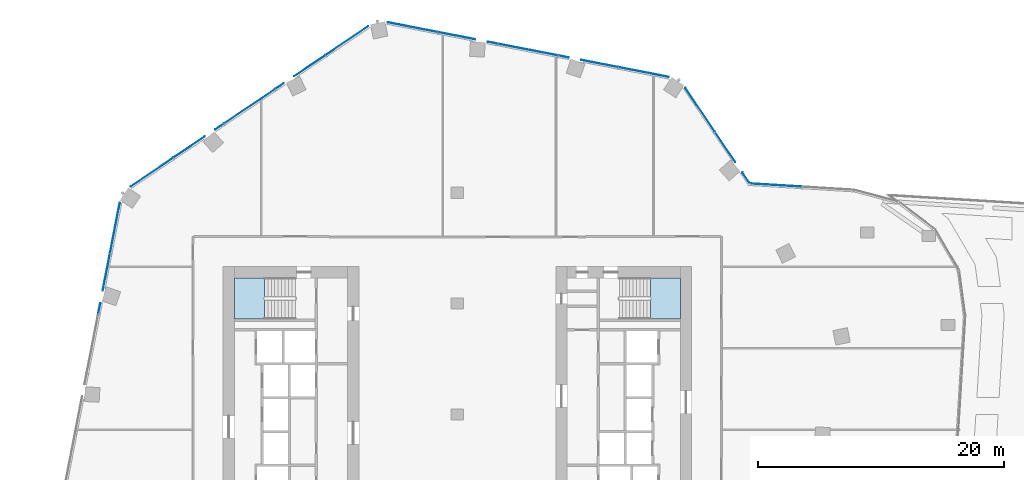
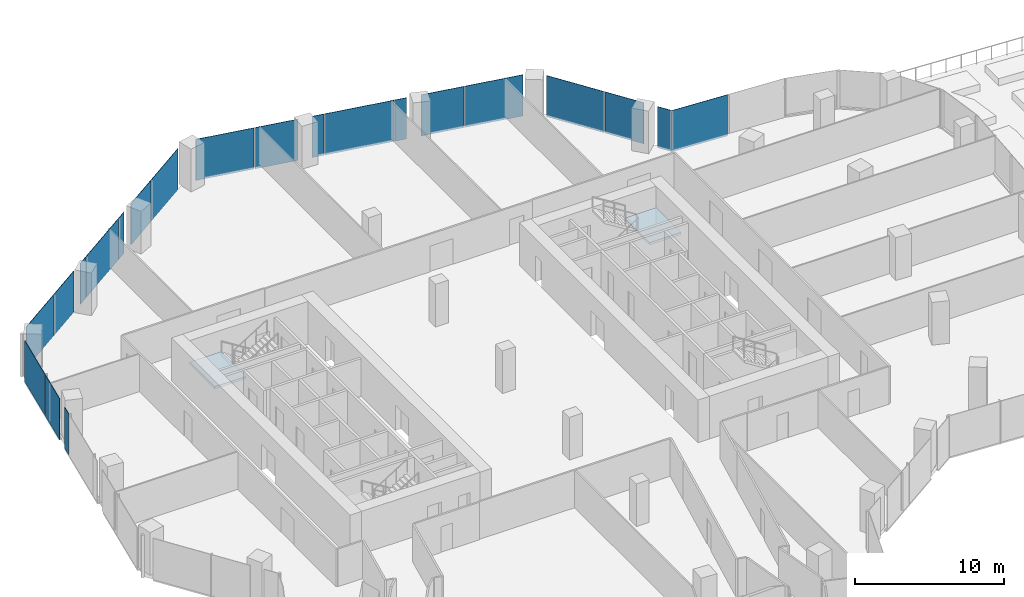
# One storey, part 17 of 26: 21 plates, 2 slabs, 7 elements without a shape of their own.
"""IFC4 building model written with IfcOpenShell, lengths in metres."""

from ifc_helpers import new_model, si_unit, direction, frame, origin, origin_2d, place, context, subcontext, project, spatial, polyline, rectangle, outline, extrude, material, layer, layer_set, type_object, element, aggregate, save


model = new_model("IFC4")

# Units and contexts
model_context = context("Model", 3, precision=1e-05, world=origin(), true_north=direction((0.0, 1.0)))
body_context = subcontext(model_context, "Body", "Model", "MODEL_VIEW")
ifc_project = project(units=[si_unit("LENGTHUNIT", "METRE"), si_unit("AREAUNIT", "SQUARE_METRE"), si_unit("VOLUMEUNIT", "CUBIC_METRE"), si_unit("PLANEANGLEUNIT", "RADIAN"), si_unit("MASSUNIT", "GRAM", prefix="KILO")], contexts=[model_context])

# Site, building, storey
site_placement = place(None, origin())
site = spatial("IfcSite", under=ifc_project, at=site_placement, CompositionType="ELEMENT")
building_placement = place(site_placement, origin())
building = spatial("IfcBuilding", under=site, at=building_placement, Name="Orlundy Tower", CompositionType="ELEMENT")
storey_placement = place(building_placement, frame((0.0, 0.0, 156.10009765625)))
storey = spatial("IfcBuildingStorey", under=building, at=storey_placement, Name="L40", CompositionType="ELEMENT", Elevation=156.10009765625)

# Curtain wall, plates
ifc_material_1 = material(Name="Aluminium bronze anodised", Category="aluminium")
curtain_wall_type = type_object("IfcCurtainWallType", Name="CW1 wall", PredefinedType="NOTDEFINED", material=ifc_material_1)
curtain_wall_1_placement = place(storey_placement, origin())
curtain_wall_1 = element("IfcCurtainWall", 1, at=curtain_wall_1_placement, inside=storey, type_object=curtain_wall_type, Name="CW1 run 02", PredefinedType="NOTDEFINED")
ifc_material_2 = material(Name="Tinted glass", Category="glass")
ifc_layer_1 = layer(ifc_material_2, 0.031982421875)
ifc_layer_set_1 = layer_set([ifc_layer_1], Name="CW1 glass panel 32")
plate_type = type_object("IfcPlateType", Name="CW1 glass panel 32", PredefinedType="CURTAIN_PANEL", material=ifc_layer_set_1)
plate_1_placement = place(storey_placement, frame((-29.05029296875, 8.635009765625, -0.280029296875), z_axis=(0.0, 0.0, 1.0), x_axis=(0.19080503976, 0.981627952333, 0.0)))
plate_1 = element("IfcPlate", 2, at=plate_1_placement, type_object=plate_type, Name="CW1 panel", PredefinedType="CURTAIN_PANEL", context=body_context, shape_type="SweptSolid", body=[
    extrude(rectangle(XDim=0.846923828125, YDim=0.031982421875, at=origin_2d()), origin(), (0.0, 0.0, 1.0), 3.3798828125),
])
plate_2_placement = place(storey_placement, frame((-28.484130859375, 11.5478515625, -0.280029296875), z_axis=(0.0, 0.0, 1.0), x_axis=(0.19080503976, 0.981627952333, 0.0)))
plate_2 = element("IfcPlate", 3, at=plate_2_placement, type_object=plate_type, Name="CW1 panel", PredefinedType="CURTAIN_PANEL", context=body_context, shape_type="SweptSolid", body=[
    extrude(rectangle(XDim=3.059814453125, YDim=0.031982421875, at=origin_2d()), origin(), (0.0, 0.0, 1.0), 3.3798828125),
])
plate_3_placement = place(storey_placement, frame((-27.786865234375, 15.134521484375, -0.280029296875), z_axis=(0.0, 0.0, 1.0), x_axis=(0.19080503976, 0.981627952333, 0.0)))
plate_3 = element("IfcPlate", 4, at=plate_3_placement, type_object=plate_type, Name="CW1 panel", PredefinedType="CURTAIN_PANEL", context=body_context, shape_type="SweptSolid", body=[
    extrude(rectangle(XDim=4.148193359375, YDim=0.031982421875, at=origin_2d()), origin(), (0.0, 0.0, 1.0), 3.3798828125),
])
aggregate(curtain_wall_1, [plate_1, plate_2, plate_3])

curtain_wall_2_placement = place(storey_placement, origin())
curtain_wall_2 = element("IfcCurtainWall", 5, at=curtain_wall_2_placement, inside=storey, type_object=curtain_wall_type, Name="CW1 run 03", PredefinedType="NOTDEFINED")
plate_4_placement = place(storey_placement, frame((-24.78857421875, 19.6640625, -0.280029296875), z_axis=(0.0, 0.0, 1.0), x_axis=(0.829029616512, 0.559204698608, 0.0)))
plate_4 = element("IfcPlate", 6, at=plate_4_placement, type_object=plate_type, Name="CW1 panel", PredefinedType="CURTAIN_PANEL", context=body_context, shape_type="SweptSolid", body=[
    extrude(rectangle(XDim=4.14697265625, YDim=0.031982421875, at=origin_2d()), origin(), (0.0, 0.0, 1.0), 3.3798828125),
])
plate_5_placement = place(storey_placement, frame((-21.762939453125, 21.705078125, -0.280029296875), z_axis=(0.0, 0.0, 1.0), x_axis=(0.829029616512, 0.559204698608, 0.0)))
plate_5 = element("IfcPlate", 7, at=plate_5_placement, type_object=plate_type, Name="CW1 panel", PredefinedType="CURTAIN_PANEL", context=body_context, shape_type="SweptSolid", body=[
    extrude(rectangle(XDim=3.052490234375, YDim=0.031982421875, at=origin_2d()), origin(), (0.0, 0.0, 1.0), 3.3798828125),
])
plate_6_placement = place(storey_placement, frame((-19.2998046875, 23.366455078125, -0.280029296875), z_axis=(0.0, 0.0, 1.0), x_axis=(0.829029616512, 0.559204698608, 0.0)))
plate_6 = element("IfcPlate", 8, at=plate_6_placement, type_object=plate_type, Name="CW1 panel", PredefinedType="CURTAIN_PANEL", context=body_context, shape_type="SweptSolid", body=[
    extrude(rectangle(XDim=0.8466796875, YDim=0.031982421875, at=origin_2d()), origin(), (0.0, 0.0, 1.0), 3.3798828125),
])
plate_7_placement = place(storey_placement, frame((-16.86767578125, 25.007080078125, -0.280029296875), z_axis=(0.0, 0.0, 1.0), x_axis=(0.829029616512, 0.559204698608, 0.0)))
plate_7 = element("IfcPlate", 9, at=plate_7_placement, type_object=plate_type, Name="CW1 panel", PredefinedType="CURTAIN_PANEL", context=body_context, shape_type="SweptSolid", body=[
    extrude(rectangle(XDim=4.920654296875, YDim=0.031982421875, at=origin_2d()), origin(), (0.0, 0.0, 1.0), 3.3798828125),
])
plate_8_placement = place(storey_placement, frame((-14.435302734375, 26.647705078125, -0.280029296875), z_axis=(0.0, 0.0, 1.0), x_axis=(0.829029616512, 0.559204698608, 0.0)))
plate_8 = element("IfcPlate", 10, at=plate_8_placement, type_object=plate_type, Name="CW1 panel", PredefinedType="CURTAIN_PANEL", context=body_context, shape_type="SweptSolid", body=[
    extrude(rectangle(XDim=0.84716796875, YDim=0.031982421875, at=origin_2d()), origin(), (0.0, 0.0, 1.0), 3.3798828125),
])
plate_9_placement = place(storey_placement, frame((-11.97314453125, 28.30859375, -0.280029296875), z_axis=(0.0, 0.0, 1.0), x_axis=(0.829029616512, 0.559204698608, 0.0)))
plate_9 = element("IfcPlate", 11, at=plate_9_placement, type_object=plate_type, Name="CW1 panel", PredefinedType="CURTAIN_PANEL", context=body_context, shape_type="SweptSolid", body=[
    extrude(rectangle(XDim=3.0537109375, YDim=0.031982421875, at=origin_2d()), origin(), (0.0, 0.0, 1.0), 3.3798828125),
])
plate_10_placement = place(storey_placement, frame((-8.9462890625, 30.35009765625, -0.280029296875), z_axis=(0.0, 0.0, 1.0), x_axis=(0.829029616512, 0.559204698608, 0.0)))
plate_10 = element("IfcPlate", 12, at=plate_10_placement, type_object=plate_type, Name="CW1 panel", PredefinedType="CURTAIN_PANEL", context=body_context, shape_type="SweptSolid", body=[
    extrude(rectangle(XDim=4.14794921875, YDim=0.031982421875, at=origin_2d()), origin(), (0.0, 0.0, 1.0), 3.3798828125),
])
aggregate(curtain_wall_2, [plate_4, plate_5, plate_6, plate_7, plate_8, plate_9, plate_10])

curtain_wall_3_placement = place(storey_placement, origin())
curtain_wall_3 = element("IfcCurtainWall", 13, at=curtain_wall_3_placement, inside=storey, type_object=curtain_wall_type, Name="CW1 run 04", PredefinedType="NOTDEFINED")
plate_11_placement = place(storey_placement, frame((-3.62353515625, 31.43310546875, -0.280029296875), z_axis=(0.0, 0.0, 1.0), x_axis=(0.981627952333, -0.19080503976, 0.0)))
plate_11 = element("IfcPlate", 14, at=plate_11_placement, type_object=plate_type, Name="CW1 panel", PredefinedType="CURTAIN_PANEL", context=body_context, shape_type="SweptSolid", body=[
    extrude(rectangle(XDim=4.147216796875, YDim=0.031982421875, at=origin_2d()), origin(), (0.0, 0.0, 1.0), 3.3798828125),
])
plate_12_placement = place(storey_placement, frame((-0.037109375, 30.73583984375, -0.280029296875), z_axis=(0.0, 0.0, 1.0), x_axis=(0.981627952333, -0.19080503976, 0.0)))
plate_12 = element("IfcPlate", 15, at=plate_12_placement, type_object=plate_type, Name="CW1 panel", PredefinedType="CURTAIN_PANEL", context=body_context, shape_type="SweptSolid", body=[
    extrude(rectangle(XDim=3.059814453125, YDim=0.031982421875, at=origin_2d()), origin(), (0.0, 0.0, 1.0), 3.3798828125),
])
plate_13_placement = place(storey_placement, frame((2.87548828125, 30.169677734375, -0.280029296875), z_axis=(0.0, 0.0, 1.0), x_axis=(0.981627952333, -0.19080503976, 0.0)))
plate_13 = element("IfcPlate", 16, at=plate_13_placement, type_object=plate_type, Name="CW1 panel", PredefinedType="CURTAIN_PANEL", context=body_context, shape_type="SweptSolid", body=[
    extrude(rectangle(XDim=0.8466796875, YDim=0.031982421875, at=origin_2d()), origin(), (0.0, 0.0, 1.0), 3.3798828125),
])
plate_14_placement = place(storey_placement, frame((5.75537109375, 29.610107421875, -0.280029296875), z_axis=(0.0, 0.0, 1.0), x_axis=(0.981627952333, -0.19080503976, 0.0)))
plate_14 = element("IfcPlate", 17, at=plate_14_placement, type_object=plate_type, Name="CW1 panel", PredefinedType="CURTAIN_PANEL", context=body_context, shape_type="SweptSolid", body=[
    extrude(rectangle(XDim=4.92041015625, YDim=0.031982421875, at=origin_2d()), origin(), (0.0, 0.0, 1.0), 3.3798828125),
])
plate_15_placement = place(storey_placement, frame((8.635009765625, 29.05029296875, -0.280029296875), z_axis=(0.0, 0.0, 1.0), x_axis=(0.981627952333, -0.19080503976, 0.0)))
plate_15 = element("IfcPlate", 18, at=plate_15_placement, type_object=plate_type, Name="CW1 panel", PredefinedType="CURTAIN_PANEL", context=body_context, shape_type="SweptSolid", body=[
    extrude(rectangle(XDim=0.846923828125, YDim=0.031982421875, at=origin_2d()), origin(), (0.0, 0.0, 1.0), 3.3798828125),
])
plate_16_placement = place(storey_placement, frame((11.5478515625, 28.484130859375, -0.280029296875), z_axis=(0.0, 0.0, 1.0), x_axis=(0.981627952333, -0.19080503976, 0.0)))
plate_16 = element("IfcPlate", 19, at=plate_16_placement, type_object=plate_type, Name="CW1 panel", PredefinedType="CURTAIN_PANEL", context=body_context, shape_type="SweptSolid", body=[
    extrude(rectangle(XDim=3.059814453125, YDim=0.031982421875, at=origin_2d()), origin(), (0.0, 0.0, 1.0), 3.3798828125),
])
plate_17_placement = place(storey_placement, frame((15.134521484375, 27.786865234375, -0.280029296875), z_axis=(0.0, 0.0, 1.0), x_axis=(0.981627952333, -0.19080503976, 0.0)))
plate_17 = element("IfcPlate", 20, at=plate_17_placement, type_object=plate_type, Name="CW1 panel", PredefinedType="CURTAIN_PANEL", context=body_context, shape_type="SweptSolid", body=[
    extrude(rectangle(XDim=4.148193359375, YDim=0.031982421875, at=origin_2d()), origin(), (0.0, 0.0, 1.0), 3.3798828125),
])
aggregate(curtain_wall_3, [plate_11, plate_12, plate_13, plate_14, plate_15, plate_16, plate_17])

curtain_wall_4_placement = place(storey_placement, origin())
curtain_wall_4 = element("IfcCurtainWall", 21, at=curtain_wall_4_placement, inside=storey, type_object=curtain_wall_type, Name="CW1 run 05", PredefinedType="NOTDEFINED")
plate_18_placement = place(storey_placement, frame((19.70556640625, 24.727294921875, -0.280029296875), z_axis=(0.0, 0.0, 1.0), x_axis=(0.559222860538, -0.829017365471, 0.0)))
plate_18 = element("IfcPlate", 22, at=plate_18_placement, type_object=plate_type, Name="CW1 panel", PredefinedType="CURTAIN_PANEL", context=body_context, shape_type="SweptSolid", body=[
    extrude(rectangle(XDim=4.295166015625, YDim=0.031982421875, at=origin_2d()), origin(), (0.0, 0.0, 1.0), 3.3798828125),
])
plate_19_placement = place(storey_placement, frame((21.746826171875, 21.700927734375, -0.280029296875), z_axis=(0.0, 0.0, 1.0), x_axis=(0.559222860538, -0.829017365471, 0.0)))
plate_19 = element("IfcPlate", 23, at=plate_19_placement, type_object=plate_type, Name="CW1 panel", PredefinedType="CURTAIN_PANEL", context=body_context, shape_type="SweptSolid", body=[
    extrude(rectangle(XDim=2.90576171875, YDim=0.031982421875, at=origin_2d()), origin(), (0.0, 0.0, 1.0), 3.3798828125),
])
plate_20_placement = place(storey_placement, frame((23.433837890625, 19.200439453125, -0.280029296875), z_axis=(0.0, 0.0, 1.0), x_axis=(0.559222860538, -0.829017365471, 0.0)))
plate_20 = element("IfcPlate", 24, at=plate_20_placement, type_object=plate_type, Name="CW1 panel", PredefinedType="CURTAIN_PANEL", context=body_context, shape_type="SweptSolid", body=[
    extrude(rectangle(XDim=1.087158203125, YDim=0.031982421875, at=origin_2d()), origin(), (0.0, 0.0, 1.0), 3.3798828125),
])
aggregate(curtain_wall_4, [plate_18, plate_19, plate_20])

# Curtain wall, plate
curtain_wall_5_placement = place(storey_placement, origin())
curtain_wall_5 = element("IfcCurtainWall", 25, at=curtain_wall_5_placement, inside=storey, type_object=curtain_wall_type, Name="CW1 run 06", PredefinedType="NOTDEFINED")
plate_21_placement = place(storey_placement, frame((25.81396484375, 18.622802734375, -0.280029296875), z_axis=(0.0, 0.0, 1.0), x_axis=(0.998133804651, -0.061064785376, 0.0)))
plate_21 = element("IfcPlate", 26, at=plate_21_placement, type_object=plate_type, Name="CW1 panel", PredefinedType="CURTAIN_PANEL", context=body_context, shape_type="SweptSolid", body=[
    extrude(rectangle(XDim=4.16015625, YDim=0.031982421875, at=origin_2d()), origin(), (0.0, 0.0, 1.0), 3.3798828125),
])
aggregate(curtain_wall_5, [plate_21])

# Stair, slab
ifc_material_3 = material(Name="Concrete C50/60", Category="concrete")
stair_type = type_object("IfcStairType", Name="Exit Stair 20 risers", PredefinedType="HALF_TURN_STAIR", material=ifc_material_3)
stair_1_placement = place(storey_placement, origin())
stair_1 = element("IfcStair", 27, at=stair_1_placement, inside=storey, type_object=stair_type, Name="L40 Exit Stair ST-W1", PredefinedType="HALF_TURN_STAIR")
ifc_material_4 = material(Name="Concrete C50/60", Category="concrete")
ifc_layer_2 = layer(ifc_material_4, 0.199951171875)
ifc_layer_set_2 = layer_set([ifc_layer_2], Name="Exit Stair Landing")
slab_type = type_object("IfcSlabType", Name="Exit Stair Landing", PredefinedType="LANDING", material=ifc_layer_set_2)
slab_1_placement = place(storey_placement, frame((0.0, 0.0, 1.5498046875)))
slab_1 = element("IfcSlab", 28, at=slab_1_placement, type_object=slab_type, Name="ST-W1 landing 1", PredefinedType="LANDING", context=body_context, shape_type="SweptSolid", body=[
    extrude(outline(polyline([(-15.659912109375, 11.10009765625), (-18.10009765625, 11.10009765625), (-18.10009765625, 7.75), (-15.659912109375, 7.75), (-15.659912109375, 11.10009765625)])), origin(), (0.0, 0.0, 1.0), 0.2001953125),
])
aggregate(stair_1, [slab_1])

stair_2_placement = place(storey_placement, origin())
stair_2 = element("IfcStair", 29, at=stair_2_placement, inside=storey, type_object=stair_type, Name="L40 Exit Stair ST-E2", PredefinedType="HALF_TURN_STAIR")
slab_2_placement = place(storey_placement, frame((0.0, 0.0, 1.5498046875)))
slab_2 = element("IfcSlab", 30, at=slab_2_placement, type_object=slab_type, Name="ST-E2 landing 1", PredefinedType="LANDING", context=body_context, shape_type="SweptSolid", body=[
    extrude(outline(polyline([(15.659912109375, 7.75), (18.10009765625, 7.75), (18.10009765625, 11.10009765625), (15.659912109375, 11.10009765625), (15.659912109375, 7.75)])), origin(), (0.0, 0.0, 1.0), 0.2001953125),
])
aggregate(stair_2, [slab_2])

save(model, "model.ifc")
